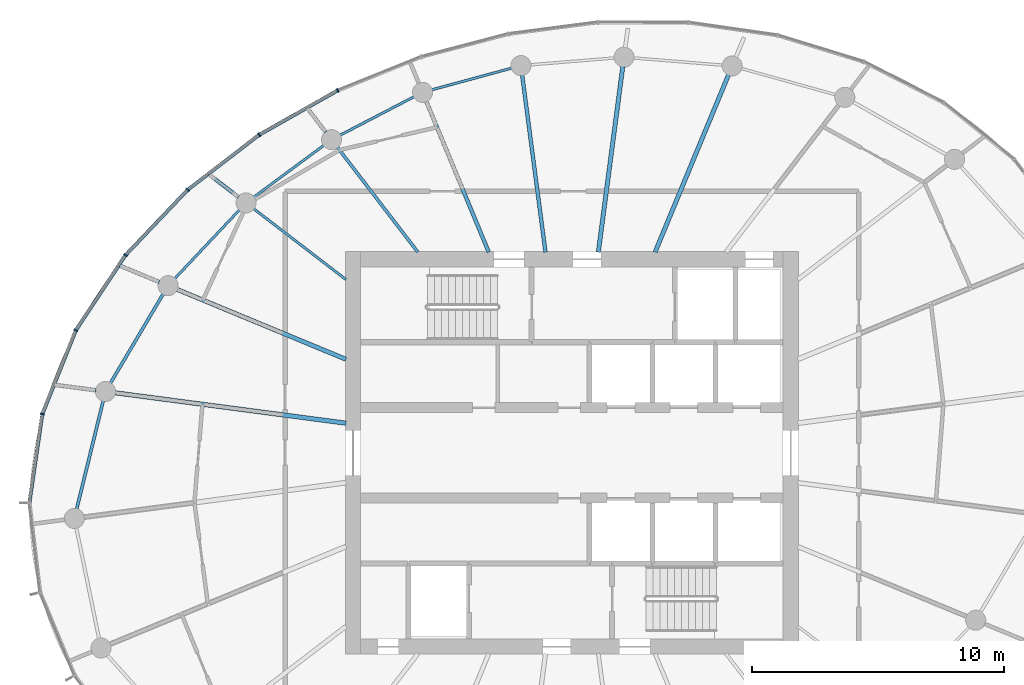
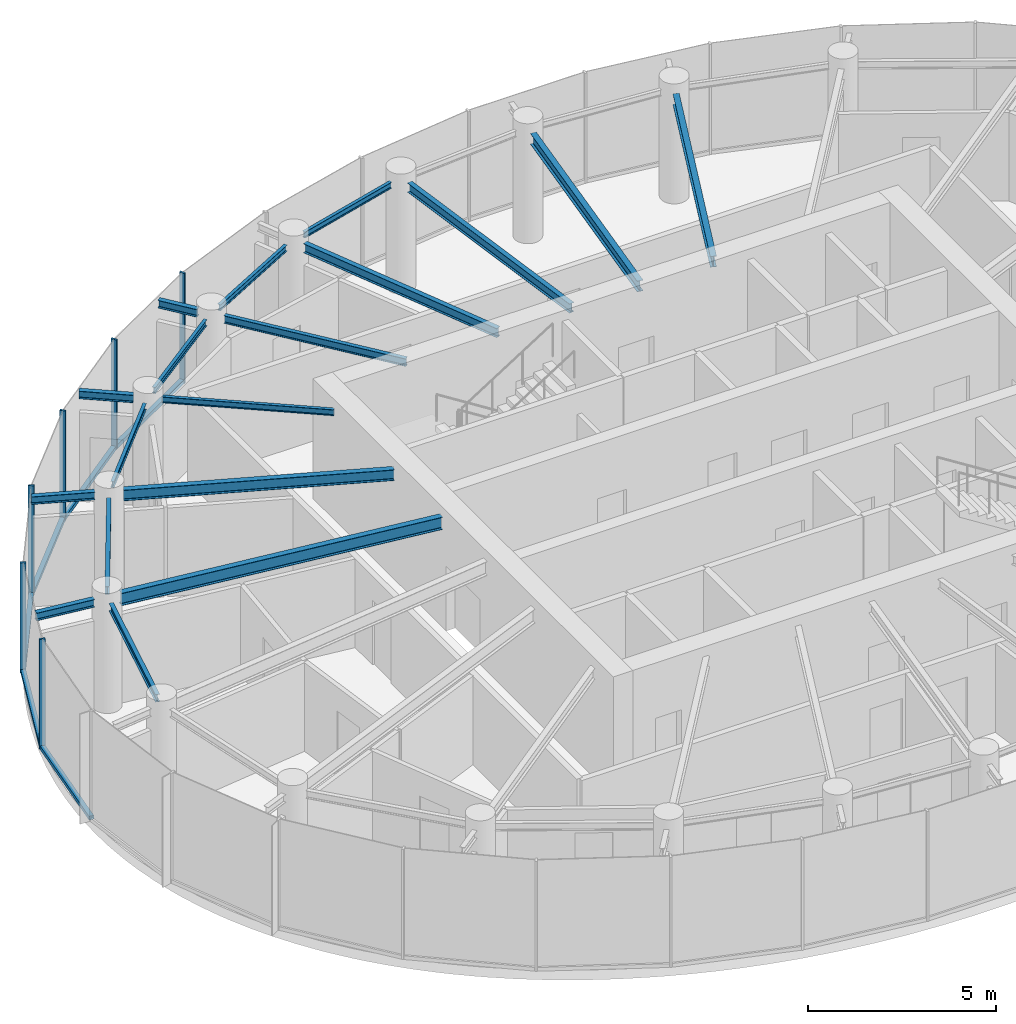
# One storey, part 4 of 13: 18 beams, 12 members, 2 elements without a shape of their own.
"""IFC4 building model written with IfcOpenShell, lengths in metres."""

from ifc_helpers import new_model, si_unit, direction, frame, origin, origin_2d, place, context, subcontext, project, spatial, rectangle, i_section, extrude, source, transform, mapped, material, layer, layer_set, material_profile, profile_set, type_object, element, aggregate, save


model = new_model("IFC4")

# Units and contexts
model_context = context("Model", 3, precision=1e-05, world=origin(), true_north=direction((0.0, 1.0)))
body_context = subcontext(model_context, "Body", "Model", "MODEL_VIEW")
ifc_project = project(units=[si_unit("LENGTHUNIT", "METRE"), si_unit("AREAUNIT", "SQUARE_METRE"), si_unit("VOLUMEUNIT", "CUBIC_METRE"), si_unit("PLANEANGLEUNIT", "RADIAN"), si_unit("MASSUNIT", "GRAM", prefix="KILO")], contexts=[model_context])

# Site, building, storey
site_placement = place(None, origin())
site = spatial("IfcSite", under=ifc_project, at=site_placement, CompositionType="ELEMENT")
building_placement = place(site_placement, origin())
building = spatial("IfcBuilding", under=site, at=building_placement, Name="Spindrift Exchange Tower", CompositionType="ELEMENT")
storey_placement = place(building_placement, frame((0.0, 0.0, 257.89990234375)))
storey = spatial("IfcBuildingStorey", under=building, at=storey_placement, Name="L63", CompositionType="ELEMENT", Elevation=257.89990234375)

# Beams
ifc_material_1 = material(Name="Steel Grade 300", Category="steel")
ifc_material_profile_1 = material_profile(ifc_material_1, i_section(OverallWidth=0.1708984375, OverallDepth=0.35205078125, WebThickness=0.0068359375, FlangeThickness=0.009765625, FilletRadius=0.013916015625, at=origin_2d()), Name="360UB44.7")
ifc_profile_set_1 = profile_set([ifc_material_profile_1], Name="Steel Grade 300")
beam_type_1 = type_object("IfcBeamType", Name="Floor Beam 360UB44.7 Steel Grade 300", PredefinedType="BEAM", material=ifc_profile_set_1)
shared_shape_1 = source(origin(), body_context, "Body", "SweptSolid", [
    extrude(i_section(OverallWidth=0.1708984375, OverallDepth=0.35205078125, WebThickness=0.0068359375, FlangeThickness=0.009765625, FilletRadius=0.013916015625, at=origin_2d()), origin(), (0.0, 0.0, 1.0), 7.630859375),
])
beam_1_placement = place(storey_placement, frame((55.30615234375, 55.9814453125, 3.404052734375), z_axis=(0.382676740702, 0.92388230426, 0.0), x_axis=(-0.92388230426, 0.382676740702, 0.0)))
element("IfcBeam", 1, at=beam_1_placement, inside=storey, type_object=beam_type_1, Name="L63 radial beam R05A", PredefinedType="BEAM", context=body_context, shape_type="MappedRepresentation", body=[
    mapped(shared_shape_1, transform((0.0, 0.0, 0.0), scale=1.0)),
])
shared_shape_2 = source(origin(), body_context, "Body", "SweptSolid", [
    extrude(i_section(OverallWidth=0.1708984375, OverallDepth=0.35205078125, WebThickness=0.0068359375, FlangeThickness=0.009765625, FilletRadius=0.013916015625, at=origin_2d()), origin(), (0.0, 0.0, 1.0), 7.43798828125),
])
beam_2_placement = place(storey_placement, frame((53.050537109375, 55.980224609375, 3.404052734375), z_axis=(0.130540269579, 0.991443007953, 0.0), x_axis=(-0.991443007953, 0.130540269579, 0.0)))
element("IfcBeam", 2, at=beam_2_placement, inside=storey, type_object=beam_type_1, Name="L63 radial beam R06A", PredefinedType="BEAM", context=body_context, shape_type="MappedRepresentation", body=[
    mapped(shared_shape_2, transform((0.0, 0.0, 0.0), scale=1.0)),
])
ifc_material_profile_2 = material_profile(ifc_material_1, i_section(OverallWidth=0.14892578125, OverallDepth=0.298095703125, WebThickness=0.005615234375, FlangeThickness=0.008056640625, FilletRadius=0.012939453125, at=origin_2d()), Name="310UB32.0")
ifc_profile_set_2 = profile_set([ifc_material_profile_2], Name="Steel Grade 300")
beam_type_2 = type_object("IfcBeamType", Name="Floor Beam 310UB32.0 Steel Grade 300", PredefinedType="BEAM", material=ifc_profile_set_2)
shared_shape_3 = source(origin(), body_context, "Body", "SweptSolid", [
    extrude(i_section(OverallWidth=0.14892578125, OverallDepth=0.298095703125, WebThickness=0.005615234375, FlangeThickness=0.008056640625, FilletRadius=0.012939453125, at=origin_2d()), origin(), (0.0, 0.0, 1.0), 7.099853515625),
])
beam_3_placement = place(storey_placement, frame((50.949462890625, 55.980224609375, 3.43115234375), z_axis=(-0.130532789835, 0.991443992759, 0.0), x_axis=(-0.991443992759, -0.130532789835, 0.0)))
element("IfcBeam", 3, at=beam_3_placement, inside=storey, type_object=beam_type_2, Name="L63 radial beam R07A", PredefinedType="BEAM", context=body_context, shape_type="MappedRepresentation", body=[
    mapped(shared_shape_3, transform((0.0, 0.0, 0.0), scale=1.0)),
])
shared_shape_4 = source(origin(), body_context, "Body", "SweptSolid", [
    extrude(i_section(OverallWidth=0.14892578125, OverallDepth=0.298095703125, WebThickness=0.005615234375, FlangeThickness=0.008056640625, FilletRadius=0.012939453125, at=origin_2d()), origin(), (0.0, 0.0, 1.0), 6.495849609375),
])
beam_4_placement = place(storey_placement, frame((48.69384765625, 55.9814453125, 3.43115234375), z_axis=(-0.382677087308, 0.923882160695, 0.0), x_axis=(-0.923882160695, -0.382677087308, 0.0)))
element("IfcBeam", 4, at=beam_4_placement, inside=storey, type_object=beam_type_2, Name="L63 radial beam R08A", PredefinedType="BEAM", context=body_context, shape_type="MappedRepresentation", body=[
    mapped(shared_shape_4, transform((0.0, 0.0, 0.0), scale=1.0)),
])
ifc_material_profile_3 = material_profile(ifc_material_1, i_section(OverallWidth=0.1240234375, OverallDepth=0.248046875, WebThickness=0.0048828125, FlangeThickness=0.008056640625, FilletRadius=0.011962890625, at=origin_2d()), Name="250UB25.7")
ifc_profile_set_3 = profile_set([ifc_material_profile_3], Name="Steel Grade 300")
beam_type_3 = type_object("IfcBeamType", Name="Floor Beam 250UB25.7 Steel Grade 300", PredefinedType="BEAM", material=ifc_profile_set_3)
shared_shape_5 = source(origin(), body_context, "Body", "SweptSolid", [
    extrude(i_section(OverallWidth=0.1240234375, OverallDepth=0.248046875, WebThickness=0.0048828125, FlangeThickness=0.008056640625, FilletRadius=0.011962890625, at=origin_2d()), origin(), (0.0, 0.0, 1.0), 5.25341796875),
])
beam_5_placement = place(storey_placement, frame((45.87353515625, 55.984130859375, 3.4560546875), z_axis=(-0.608760287872, 0.793354215915, 0.0), x_axis=(-0.793354215915, -0.608760287872, 0.0)))
element("IfcBeam", 5, at=beam_5_placement, inside=storey, type_object=beam_type_3, Name="L63 radial beam R09A", PredefinedType="BEAM", context=body_context, shape_type="MappedRepresentation", body=[
    mapped(shared_shape_5, transform((0.0, 0.0, 0.0), scale=1.0)),
])
ifc_material_profile_4 = material_profile(ifc_material_1, i_section(OverallWidth=0.09912109375, OverallDepth=0.197998046875, WebThickness=0.00439453125, FlangeThickness=0.007080078125, FilletRadius=0.010986328125, at=origin_2d()), Name="200UB18.2")
ifc_profile_set_4 = profile_set([ifc_material_profile_4], Name="Steel Grade 300")
beam_type_4 = type_object("IfcBeamType", Name="Floor Beam 200UB18.2 Steel Grade 300", PredefinedType="BEAM", material=ifc_profile_set_4)
shared_shape_6 = source(origin(), body_context, "Body", "SweptSolid", [
    extrude(i_section(OverallWidth=0.09912109375, OverallDepth=0.197998046875, WebThickness=0.00439453125, FlangeThickness=0.007080078125, FilletRadius=0.010986328125, at=origin_2d()), origin(), (0.0, 0.0, 1.0), 4.622802734375),
])
beam_6_placement = place(storey_placement, frame((43.015869140625, 54.893798828125, 3.481201171875), z_axis=(-0.793347882225, 0.608768542033, 0.0), x_axis=(-0.608768542033, -0.793347882225, 0.0)))
element("IfcBeam", 6, at=beam_6_placement, inside=storey, type_object=beam_type_4, Name="L63 radial beam R10A", PredefinedType="BEAM", context=body_context, shape_type="MappedRepresentation", body=[
    mapped(shared_shape_6, transform((0.0, 0.0, 0.0), scale=1.0)),
])
shared_shape_7 = source(origin(), body_context, "Body", "SweptSolid", [
    extrude(i_section(OverallWidth=0.1708984375, OverallDepth=0.35205078125, WebThickness=0.0068359375, FlangeThickness=0.009765625, FilletRadius=0.013916015625, at=origin_2d()), origin(), (0.0, 0.0, 1.0), 7.272705078125),
])
beam_7_placement = place(storey_placement, frame((43.0185546875, 51.72021484375, 3.404052734375), z_axis=(-0.923874446092, 0.382695711836, 0.0), x_axis=(-0.382695711836, -0.923874446092, 0.0)))
element("IfcBeam", 7, at=beam_7_placement, inside=storey, type_object=beam_type_1, Name="L63 radial beam R11A", PredefinedType="BEAM", context=body_context, shape_type="MappedRepresentation", body=[
    mapped(shared_shape_7, transform((0.0, 0.0, 0.0), scale=1.0)),
])
ifc_material_profile_5 = material_profile(ifc_material_1, i_section(OverallWidth=0.177978515625, OverallDepth=0.403076171875, WebThickness=0.007568359375, FlangeThickness=0.010986328125, FilletRadius=0.013916015625, at=origin_2d()), Name="410UB53.7")
ifc_profile_set_5 = profile_set([ifc_material_profile_5], Name="Steel Grade 300")
beam_type_5 = type_object("IfcBeamType", Name="Floor Beam 410UB53.7 Steel Grade 300", PredefinedType="BEAM", material=ifc_profile_set_5)
shared_shape_8 = source(origin(), body_context, "Body", "SweptSolid", [
    extrude(i_section(OverallWidth=0.177978515625, OverallDepth=0.403076171875, WebThickness=0.007568359375, FlangeThickness=0.010986328125, FilletRadius=0.013916015625, at=origin_2d()), origin(), (0.0, 0.0, 1.0), 9.261962890625),
])
beam_8_placement = place(storey_placement, frame((43.019775390625, 49.182373046875, 3.378662109375), z_axis=(-0.991447744872, 0.130504288008, 0.0), x_axis=(-0.130504288008, -0.991447744872, 0.0)))
element("IfcBeam", 8, at=beam_8_placement, inside=storey, type_object=beam_type_5, Name="L63 radial beam R12A", PredefinedType="BEAM", context=body_context, shape_type="MappedRepresentation", body=[
    mapped(shared_shape_8, transform((0.0, 0.0, 0.0), scale=1.0)),
])
ifc_material_profile_6 = material_profile(ifc_material_1, i_section(OverallWidth=0.09912109375, OverallDepth=0.197998046875, WebThickness=0.00439453125, FlangeThickness=0.007080078125, FilletRadius=0.010986328125, at=origin_2d()), Name="200UB18.2")
ifc_profile_set_6 = profile_set([ifc_material_profile_6], Name="Steel Grade 300")
beam_type_6 = type_object("IfcBeamType", Name="Edge Beam 200UB18.2 Steel Grade 300", PredefinedType="SPANDREL", material=ifc_profile_set_6)
shared_shape_9 = source(origin(), body_context, "Body", "SweptSolid", [
    extrude(i_section(OverallWidth=0.09912109375, OverallDepth=0.197998046875, WebThickness=0.00439453125, FlangeThickness=0.007080078125, FilletRadius=0.010986328125, at=origin_2d()), origin(), (0.0, 0.0, 1.0), 3.2919921875),
])
beam_9_placement = place(storey_placement, frame((49.6064453125, 63.29638671875, 3.481201171875), z_axis=(-0.965045644564, -0.262081864896, 0.0), x_axis=(0.262081864896, -0.965045644564, 0.0)))
element("IfcBeam", 9, at=beam_9_placement, inside=storey, type_object=beam_type_6, Name="L63 edge beam E07", PredefinedType="SPANDREL", context=body_context, shape_type="MappedRepresentation", body=[
    mapped(shared_shape_9, transform((0.0, 0.0, 0.0), scale=1.0)),
])
shared_shape_10 = source(origin(), body_context, "Body", "SweptSolid", [
    extrude(i_section(OverallWidth=0.09912109375, OverallDepth=0.197998046875, WebThickness=0.00439453125, FlangeThickness=0.007080078125, FilletRadius=0.010986328125, at=origin_2d()), origin(), (0.0, 0.0, 1.0), 3.31787109375),
])
beam_10_placement = place(storey_placement, frame((45.7255859375, 62.15869140625, 3.481201171875), z_axis=(-0.887327612278, -0.46113957593, 0.0), x_axis=(0.46113957593, -0.887327612278, 0.0)))
element("IfcBeam", 10, at=beam_10_placement, inside=storey, type_object=beam_type_6, Name="L63 edge beam E08", PredefinedType="SPANDREL", context=body_context, shape_type="MappedRepresentation", body=[
    mapped(shared_shape_10, transform((0.0, 0.0, 0.0), scale=1.0)),
])
shared_shape_11 = source(origin(), body_context, "Body", "SweptSolid", [
    extrude(i_section(OverallWidth=0.09912109375, OverallDepth=0.197998046875, WebThickness=0.00439453125, FlangeThickness=0.007080078125, FilletRadius=0.010986328125, at=origin_2d()), origin(), (0.0, 0.0, 1.0), 3.466552734375),
])
beam_11_placement = place(storey_placement, frame((42.138916015625, 60.227294921875, 3.481201171875), z_axis=(-0.803854022168, -0.594826622676, 0.0), x_axis=(0.594826622676, -0.803854022168, 0.0)))
element("IfcBeam", 11, at=beam_11_placement, inside=storey, type_object=beam_type_6, Name="L63 edge beam E09", PredefinedType="SPANDREL", context=body_context, shape_type="MappedRepresentation", body=[
    mapped(shared_shape_11, transform((0.0, 0.0, 0.0), scale=1.0)),
])
shared_shape_12 = source(origin(), body_context, "Body", "SweptSolid", [
    extrude(i_section(OverallWidth=0.09912109375, OverallDepth=0.197998046875, WebThickness=0.00439453125, FlangeThickness=0.007080078125, FilletRadius=0.010986328125, at=origin_2d()), origin(), (0.0, 0.0, 1.0), 3.759765625),
])
beam_12_placement = place(storey_placement, frame((38.786376953125, 57.66259765625, 3.481201171875), z_axis=(-0.685520646854, -0.72805318675, 0.0), x_axis=(0.72805318675, -0.685520646854, 0.0)))
element("IfcBeam", 12, at=beam_12_placement, inside=storey, type_object=beam_type_6, Name="L63 edge beam E10", PredefinedType="SPANDREL", context=body_context, shape_type="MappedRepresentation", body=[
    mapped(shared_shape_12, transform((0.0, 0.0, 0.0), scale=1.0)),
])
ifc_material_profile_7 = material_profile(ifc_material_1, i_section(OverallWidth=0.1240234375, OverallDepth=0.248046875, WebThickness=0.0048828125, FlangeThickness=0.008056640625, FilletRadius=0.011962890625, at=origin_2d()), Name="250UB25.7")
ifc_profile_set_7 = profile_set([ifc_material_profile_7], Name="Steel Grade 300")
beam_type_7 = type_object("IfcBeamType", Name="Edge Beam 250UB25.7 Steel Grade 300", PredefinedType="SPANDREL", material=ifc_profile_set_7)
shared_shape_13 = source(origin(), body_context, "Body", "SweptSolid", [
    extrude(i_section(OverallWidth=0.1240234375, OverallDepth=0.248046875, WebThickness=0.0048828125, FlangeThickness=0.008056640625, FilletRadius=0.011962890625, at=origin_2d()), origin(), (0.0, 0.0, 1.0), 4.128662109375),
])
beam_13_placement = place(storey_placement, frame((35.755126953125, 54.321533203125, 3.4560546875), z_axis=(-0.509067946458, -0.860726336235, 0.0), x_axis=(0.860726336235, -0.509067946458, 0.0)))
element("IfcBeam", 13, at=beam_13_placement, inside=storey, type_object=beam_type_7, Name="L63 edge beam E11", PredefinedType="SPANDREL", context=body_context, shape_type="MappedRepresentation", body=[
    mapped(shared_shape_13, transform((0.0, 0.0, 0.0), scale=1.0)),
])
shared_shape_14 = source(origin(), body_context, "Body", "SweptSolid", [
    extrude(i_section(OverallWidth=0.1240234375, OverallDepth=0.248046875, WebThickness=0.0048828125, FlangeThickness=0.008056640625, FilletRadius=0.011962890625, at=origin_2d()), origin(), (0.0, 0.0, 1.0), 4.43408203125),
])
beam_14_placement = place(storey_placement, frame((33.369384765625, 50.07177734375, 3.4560546875), z_axis=(-0.238193109804, -0.971217814109, 0.0), x_axis=(0.971217814109, -0.238193109804, 0.0)))
element("IfcBeam", 14, at=beam_14_placement, inside=storey, type_object=beam_type_7, Name="L63 edge beam E12", PredefinedType="SPANDREL", context=body_context, shape_type="MappedRepresentation", body=[
    mapped(shared_shape_14, transform((0.0, 0.0, 0.0), scale=1.0)),
])
ifc_material_profile_8 = material_profile(ifc_material_1, i_section(OverallWidth=0.14599609375, OverallDepth=0.251953125, WebThickness=0.006103515625, FlangeThickness=0.008544921875, FilletRadius=0.011962890625, at=origin_2d()), Name="250UB31.4")
ifc_profile_set_8 = profile_set([ifc_material_profile_8], Name="Steel Grade 300")
beam_type_8 = type_object("IfcBeamType", Name="Cantilever Beam 250UB31.4 Steel Grade 300", PredefinedType="BEAM", material=ifc_profile_set_8)
shared_shape_15 = source(origin(), body_context, "Body", "SweptSolid", [
    extrude(i_section(OverallWidth=0.14599609375, OverallDepth=0.251953125, WebThickness=0.006103515625, FlangeThickness=0.008544921875, FilletRadius=0.011962890625, at=origin_2d()), origin(), (0.0, 0.0, 1.0), 1.13330078125),
])
beam_15_placement = place(storey_placement, frame((42.212890625, 60.754638671875, 3.4541015625), z_axis=(-0.608752575912, 0.793360133433, 0.0), x_axis=(-0.793360133433, -0.608752575912, 0.0)))
element("IfcBeam", 15, at=beam_15_placement, inside=storey, type_object=beam_type_8, Name="L63 cantilever beam R09T", PredefinedType="BEAM", context=body_context, shape_type="MappedRepresentation", body=[
    mapped(shared_shape_15, transform((0.0, 0.0, 0.0), scale=1.0)),
])
shared_shape_16 = source(origin(), body_context, "Body", "SweptSolid", [
    extrude(i_section(OverallWidth=0.14599609375, OverallDepth=0.251953125, WebThickness=0.006103515625, FlangeThickness=0.008544921875, FilletRadius=0.011962890625, at=origin_2d()), origin(), (0.0, 0.0, 1.0), 1.47021484375),
])
beam_16_placement = place(storey_placement, frame((38.74560546875, 58.170654296875, 3.4541015625), z_axis=(-0.793376463814, 0.608731292662, 0.0), x_axis=(-0.608731292662, -0.793376463814, 0.0)))
element("IfcBeam", 16, at=beam_16_placement, inside=storey, type_object=beam_type_8, Name="L63 cantilever beam R10T", PredefinedType="BEAM", context=body_context, shape_type="MappedRepresentation", body=[
    mapped(shared_shape_16, transform((0.0, 0.0, 0.0), scale=1.0)),
])
shared_shape_17 = source(origin(), body_context, "Body", "SweptSolid", [
    extrude(i_section(OverallWidth=0.14599609375, OverallDepth=0.251953125, WebThickness=0.006103515625, FlangeThickness=0.008544921875, FilletRadius=0.011962890625, at=origin_2d()), origin(), (0.0, 0.0, 1.0), 1.709228515625),
])
beam_17_placement = place(storey_placement, frame((35.597412109375, 54.794189453125, 3.4541015625), z_axis=(-0.923886265288, 0.382667177599, 0.0), x_axis=(-0.382667177599, -0.923886265288, 0.0)))
element("IfcBeam", 17, at=beam_17_placement, inside=storey, type_object=beam_type_8, Name="L63 cantilever beam R11T", PredefinedType="BEAM", context=body_context, shape_type="MappedRepresentation", body=[
    mapped(shared_shape_17, transform((0.0, 0.0, 0.0), scale=1.0)),
])
shared_shape_18 = source(origin(), body_context, "Body", "SweptSolid", [
    extrude(i_section(OverallWidth=0.14599609375, OverallDepth=0.251953125, WebThickness=0.006103515625, FlangeThickness=0.008544921875, FilletRadius=0.011962890625, at=origin_2d()), origin(), (0.0, 0.0, 1.0), 1.682861328125),
])
beam_18_placement = place(storey_placement, frame((33.083251953125, 50.490478515625, 3.4541015625), z_axis=(-0.991439475548, 0.130567095112, 0.0), x_axis=(-0.130567095112, -0.991439475548, 0.0)))
element("IfcBeam", 18, at=beam_18_placement, inside=storey, type_object=beam_type_8, Name="L63 cantilever beam R12T", PredefinedType="BEAM", context=body_context, shape_type="MappedRepresentation", body=[
    mapped(shared_shape_18, transform((0.0, 0.0, 0.0), scale=1.0)),
])

# Curtain wall, members
ifc_material_2 = material(Name="Fritted laminated glass with bronze frame", Category="glass")
ifc_layer = layer(ifc_material_2, 0.159912109375)
ifc_layer_set = layer_set([ifc_layer], Name="ZONE 5 BRONZE FRITTED WALL")
curtain_wall_type = type_object("IfcCurtainWallType", Name="ZONE 5 BRONZE FRITTED WALL", PredefinedType="NOTDEFINED", material=ifc_layer_set)
curtain_wall_1_placement = place(storey_placement, origin())
curtain_wall_1 = element("IfcCurtainWall", 19, at=curtain_wall_1_placement, inside=storey, type_object=curtain_wall_type, Name="L63 Zone 5 Bronze Fritted Wall run 2", PredefinedType="NOTDEFINED")
ifc_material_3 = material(Name="Bronze anodised aluminium", Category="aluminium")
ifc_material_profile_9 = material_profile(ifc_material_3, rectangle(XDim=0.06005859375, YDim=0.159912109375, at=origin_2d()), Name="ZONE 5 BRONZE FRITTED WALL MULLION 60X160")
ifc_profile_set_9 = profile_set([ifc_material_profile_9], Name="Bronze anodised aluminium")
member_type_1 = type_object("IfcMemberType", Name="ZONE 5 BRONZE FRITTED WALL MULLION 60X160", PredefinedType="MULLION", material=ifc_profile_set_9)
shared_shape_19 = source(origin(), body_context, "Body", "SweptSolid", [
    extrude(rectangle(XDim=0.06005859375, YDim=0.159912109375, at=origin_2d()), origin(), (0.0, 0.0, 1.0), 3.580078125),
])
member_1_placement = place(storey_placement, frame((42.6884765625, 62.412841796875, 0.0), z_axis=(0.0, 0.0, 1.0), x_axis=(-0.900712679446, -0.434415318658, 0.0)))
member_1 = element("IfcMember", 20, at=member_1_placement, type_object=member_type_1, Name="L63 mullion CW-5.11", PredefinedType="MULLION", context=body_context, shape_type="MappedRepresentation", body=[
    mapped(shared_shape_19, transform((0.0, 0.0, 0.0), scale=1.0)),
])
member_2_placement = place(storey_placement, frame((39.56787109375, 60.646240234375, 0.0), z_axis=(0.0, 0.0, 1.0), x_axis=(-0.833519730544, -0.552489691119, 0.0)))
member_2 = element("IfcMember", 21, at=member_2_placement, type_object=member_type_1, Name="L63 mullion CW-5.12", PredefinedType="MULLION", context=body_context, shape_type="MappedRepresentation", body=[
    mapped(shared_shape_19, transform((0.0, 0.0, 0.0), scale=1.0)),
])

curtain_wall_2_placement = place(storey_placement, origin())
curtain_wall_2 = element("IfcCurtainWall", 22, at=curtain_wall_2_placement, inside=storey, type_object=curtain_wall_type, Name="L63 Zone 5 Bronze Fritted Wall run 3", PredefinedType="NOTDEFINED")
member_3_placement = place(storey_placement, frame((36.7255859375, 58.46044921875, 0.0), z_axis=(0.0, 0.0, 1.0), x_axis=(-0.743132174061, -0.669144656913, 0.0)))
member_3 = element("IfcMember", 23, at=member_3_placement, type_object=member_type_1, Name="L63 mullion CW-5.13", PredefinedType="MULLION", context=body_context, shape_type="MappedRepresentation", body=[
    mapped(shared_shape_19, transform((0.0, 0.0, 0.0), scale=1.0)),
])
member_4_placement = place(storey_placement, frame((34.25537109375, 55.86279296875, 0.0), z_axis=(0.0, 0.0, 1.0), x_axis=(-0.622768651185, -0.782406037234, 0.0)))
member_4 = element("IfcMember", 24, at=member_4_placement, type_object=member_type_1, Name="L63 mullion CW-5.14", PredefinedType="MULLION", context=body_context, shape_type="MappedRepresentation", body=[
    mapped(shared_shape_19, transform((0.0, 0.0, 0.0), scale=1.0)),
])
member_5_placement = place(storey_placement, frame((32.27880859375, 52.873779296875, 0.0), z_axis=(0.0, 0.0, 1.0), x_axis=(-0.463936035992, -0.88586870049, 0.0)))
member_5 = element("IfcMember", 25, at=member_5_placement, type_object=member_type_1, Name="L63 mullion CW-5.15", PredefinedType="MULLION", context=body_context, shape_type="MappedRepresentation", body=[
    mapped(shared_shape_19, transform((0.0, 0.0, 0.0), scale=1.0)),
])
member_6_placement = place(storey_placement, frame((30.9482421875, 49.548583984375, 0.0), z_axis=(0.0, 0.0, 1.0), x_axis=(-0.259723119514, -0.965683126698, 0.0)))
member_6 = element("IfcMember", 26, at=member_6_placement, type_object=member_type_1, Name="L63 mullion CW-5.16", PredefinedType="MULLION", context=body_context, shape_type="MappedRepresentation", body=[
    mapped(shared_shape_19, transform((0.0, 0.0, 0.0), scale=1.0)),
])

# Member
ifc_material_profile_10 = material_profile(ifc_material_3, rectangle(XDim=0.139892578125, YDim=0.1201171875, at=origin_2d()), Name="ZONE 5 BRONZE FRITTED WALL TRANSOM 140X120")
ifc_profile_set_10 = profile_set([ifc_material_profile_10], Name="Bronze anodised aluminium")
member_type_2 = type_object("IfcMemberType", Name="ZONE 5 BRONZE FRITTED WALL TRANSOM 140X120", PredefinedType="USERDEFINED", material=ifc_profile_set_10)
shared_shape_20 = source(origin(), body_context, "Body", "SweptSolid", [
    extrude(rectangle(XDim=0.139892578125, YDim=0.1201171875, at=origin_2d()), origin(), (0.0, 0.0, 1.0), 3.52587890625),
])
member_7_placement = place(storey_placement, frame((42.662353515625, 62.39794921875, 0.06005859375), z_axis=(-0.87022605037, -0.492652637522, 0.0), x_axis=(0.492652637522, -0.87022605037, 0.0)))
member_7 = element("IfcMember", 27, at=member_7_placement, type_object=member_type_2, Name="L63 transom CW-5.11", ObjectType="TRANSOM", PredefinedType="USERDEFINED", context=body_context, shape_type="MappedRepresentation", body=[
    mapped(shared_shape_20, transform((0.0, 0.0, 0.0), scale=1.0)),
])

shared_shape_21 = source(origin(), body_context, "Body", "SweptSolid", [
    extrude(rectangle(XDim=0.139892578125, YDim=0.1201171875, at=origin_2d()), origin(), (0.0, 0.0, 1.0), 3.525390625),
])
member_8_placement = place(storey_placement, frame((39.5439453125, 60.6279296875, 0.06005859375), z_axis=(-0.792703787051, -0.60960700947, 0.0), x_axis=(0.60960700947, -0.792703787051, 0.0)))
member_8 = element("IfcMember", 28, at=member_8_placement, type_object=member_type_2, Name="L63 transom CW-5.12", ObjectType="TRANSOM", PredefinedType="USERDEFINED", context=body_context, shape_type="MappedRepresentation", body=[
    mapped(shared_shape_21, transform((0.0, 0.0, 0.0), scale=1.0)),
])

aggregate(curtain_wall_1, [member_1, member_7, member_2, member_8])

shared_shape_22 = source(origin(), body_context, "Body", "SweptSolid", [
    extrude(rectangle(XDim=0.139892578125, YDim=0.1201171875, at=origin_2d()), origin(), (0.0, 0.0, 1.0), 3.524658203125),
])
member_9_placement = place(storey_placement, frame((36.704833984375, 58.438720703125, 0.06005859375), z_axis=(-0.689117087437, -0.724650011938, 0.0), x_axis=(0.724650011938, -0.689117087437, 0.0)))
member_9 = element("IfcMember", 29, at=member_9_placement, type_object=member_type_2, Name="L63 transom CW-5.13", ObjectType="TRANSOM", PredefinedType="USERDEFINED", context=body_context, shape_type="MappedRepresentation", body=[
    mapped(shared_shape_22, transform((0.0, 0.0, 0.0), scale=1.0)),
])

shared_shape_23 = source(origin(), body_context, "Body", "SweptSolid", [
    extrude(rectangle(XDim=0.139892578125, YDim=0.1201171875, at=origin_2d()), origin(), (0.0, 0.0, 1.0), 3.521484375),
])
member_10_placement = place(storey_placement, frame((32.267578125, 52.845947265625, 0.06005859375), z_axis=(-0.37146239444, -0.928448000438, 0.0), x_axis=(0.928448000438, -0.37146239444, 0.0)))
member_10 = element("IfcMember", 30, at=member_10_placement, type_object=member_type_2, Name="L63 transom CW-5.15", ObjectType="TRANSOM", PredefinedType="USERDEFINED", context=body_context, shape_type="MappedRepresentation", body=[
    mapped(shared_shape_23, transform((0.0, 0.0, 0.0), scale=1.0)),
])

shared_shape_24 = source(origin(), body_context, "Body", "SweptSolid", [
    extrude(rectangle(XDim=0.139892578125, YDim=0.1201171875, at=origin_2d()), origin(), (0.0, 0.0, 1.0), 3.519287109375),
])
member_11_placement = place(storey_placement, frame((30.94384765625, 49.518798828125, 0.06005859375), z_axis=(-0.144363499116, -0.989524724362, 0.0), x_axis=(0.989524724362, -0.144363499116, 0.0)))
member_11 = element("IfcMember", 31, at=member_11_placement, type_object=member_type_2, Name="L63 transom CW-5.16", ObjectType="TRANSOM", PredefinedType="USERDEFINED", context=body_context, shape_type="MappedRepresentation", body=[
    mapped(shared_shape_24, transform((0.0, 0.0, 0.0), scale=1.0)),
])

shared_shape_25 = source(origin(), body_context, "Body", "SweptSolid", [
    extrude(rectangle(XDim=0.139892578125, YDim=0.1201171875, at=origin_2d()), origin(), (0.0, 0.0, 1.0), 3.523193359375),
])
member_12_placement = place(storey_placement, frame((34.23876953125, 55.837646484375, 0.06005859375), z_axis=(-0.551642233254, -0.834080839302, 0.0), x_axis=(0.834080839302, -0.551642233254, 0.0)))
member_12 = element("IfcMember", 32, at=member_12_placement, type_object=member_type_2, Name="L63 transom CW-5.14", ObjectType="TRANSOM", PredefinedType="USERDEFINED", context=body_context, shape_type="MappedRepresentation", body=[
    mapped(shared_shape_25, transform((0.0, 0.0, 0.0), scale=1.0)),
])

aggregate(curtain_wall_2, [member_3, member_9, member_4, member_12, member_5, member_10, member_6, member_11])

save(model, "model.ifc")
